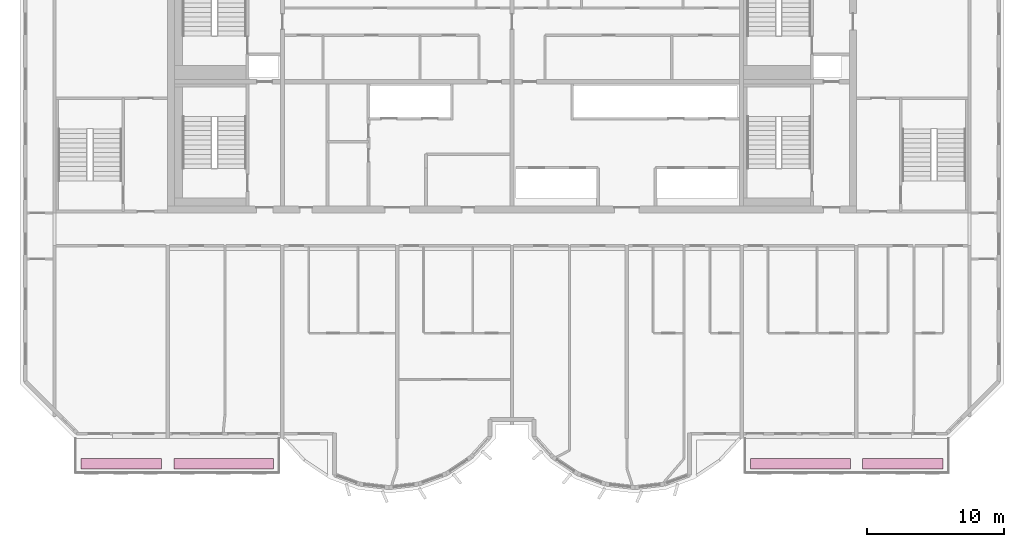
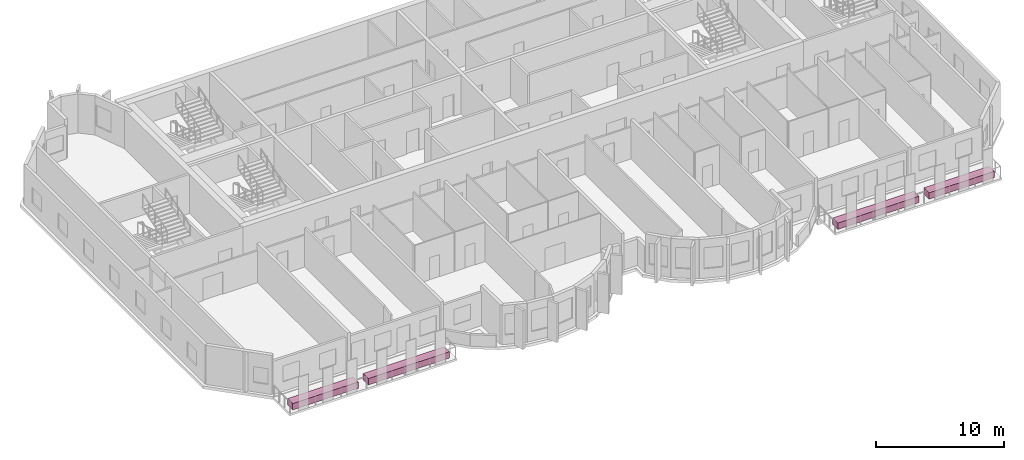
# One storey, part 12 of 12: 4 furniture elements.
"""IFC4 building model written with IfcOpenShell, lengths in metres."""

from ifc_helpers import new_model, si_unit, direction, frame, origin, origin_2d, place, context, subcontext, project, spatial, rectangle, extrude, source, transform, mapped, material, type_object, element, save


model = new_model("IFC4")

# Units and contexts
model_context = context("Model", 3, precision=1e-05, world=origin(), true_north=direction((0.0, 1.0)))
body_context = subcontext(model_context, "Body", "Model", "MODEL_VIEW")
ifc_project = project(units=[si_unit("LENGTHUNIT", "METRE"), si_unit("AREAUNIT", "SQUARE_METRE"), si_unit("VOLUMEUNIT", "CUBIC_METRE"), si_unit("PLANEANGLEUNIT", "RADIAN"), si_unit("MASSUNIT", "GRAM", prefix="KILO")], contexts=[model_context])

# Site, building, storey
site_placement = place(None, origin())
site = spatial("IfcSite", under=ifc_project, at=site_placement, CompositionType="ELEMENT")
building_placement = place(site_placement, origin())
building = spatial("IfcBuilding", under=site, at=building_placement, Name="Vanashikhar Sky Hotel", CompositionType="ELEMENT")
storey_placement = place(building_placement, frame((0.0, 0.0, 313.699951171875)))
storey = spatial("IfcBuildingStorey", under=building, at=storey_placement, Name="L75", CompositionType="ELEMENT", Elevation=313.699951171875)

# Furniture
ifc_material = material(Name="Planting soil and shrubs")
furniture_type = type_object("IfcFurnitureType", Name="Planter trough", AssemblyPlace="NOTDEFINED", PredefinedType="USERDEFINED", material=ifc_material)
shared_shape_1 = source(origin(), body_context, "Body", "SweptSolid", [
    extrude(rectangle(XDim=7.300048828125, YDim=0.800048828125, at=origin_2d()), origin(), (0.0, 0.0, 1.0), 0.60009765625),
])
for number, where, z_axis, x_axis, name in (
    (1, (29.300048828125, 3.64990234375, -0.050048828125), (0.0, 0.0, 1.0), (1.0, 0.0, 0.0), "PLANTER with climbers"),
    (2, (71.5, 3.64990234375, -0.050048828125), (0.0, 0.0, 1.0), (1.0, 0.0, 0.0), "PLANTER with climbers"),
):
    element("IfcFurniture", number, at=place(storey_placement, frame(where, z_axis=z_axis, x_axis=x_axis)), inside=storey, type_object=furniture_type, Name=name, ObjectType="PLANTER", PredefinedType="USERDEFINED", context=body_context, shape_type="MappedRepresentation", body=[
        mapped(shared_shape_1, transform((0.0, 0.0, 0.0), scale=1.0)),
    ])
shared_shape_2 = source(origin(), body_context, "Body", "SweptSolid", [
    extrude(rectangle(XDim=5.89990234375, YDim=0.800048828125, at=origin_2d()), origin(), (0.0, 0.0, 1.0), 0.60009765625),
])
for number, where, z_axis, x_axis, name in (
    (3, (21.800048828125, 3.64990234375, -0.050048828125), (0.0, 0.0, 1.0), (1.0, 0.0, 0.0), "PLANTER with climbers"),
    (4, (79.0, 3.64990234375, -0.050048828125), (0.0, 0.0, 1.0), (1.0, 0.0, 0.0), "PLANTER with climbers"),
):
    element("IfcFurniture", number, at=place(storey_placement, frame(where, z_axis=z_axis, x_axis=x_axis)), inside=storey, type_object=furniture_type, Name=name, ObjectType="PLANTER", PredefinedType="USERDEFINED", context=body_context, shape_type="MappedRepresentation", body=[
        mapped(shared_shape_2, transform((0.0, 0.0, 0.0), scale=1.0)),
    ])

save(model, "model.ifc")
